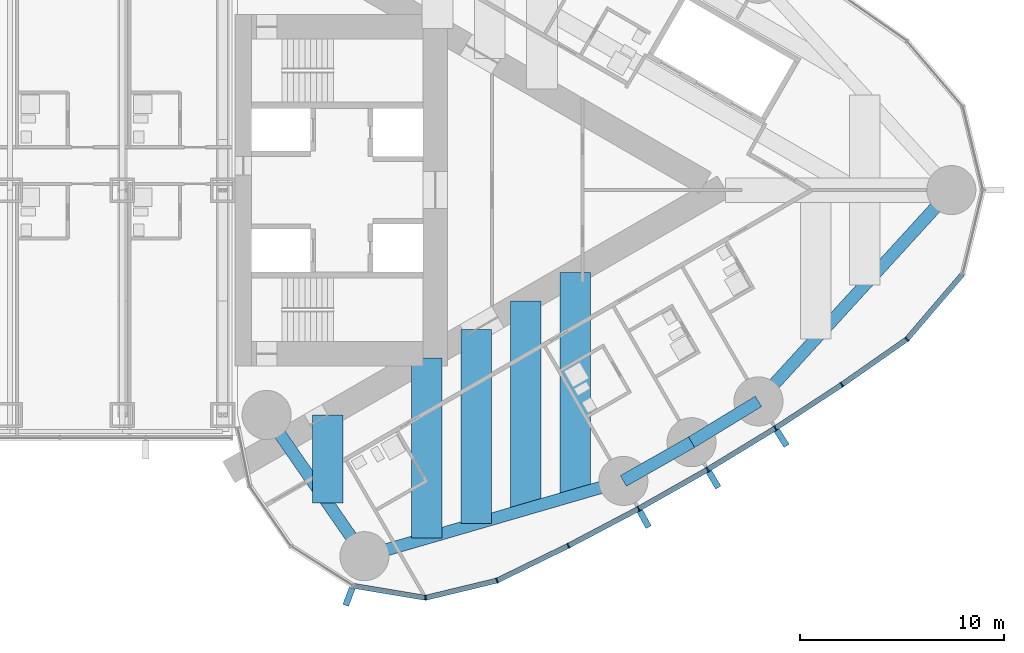
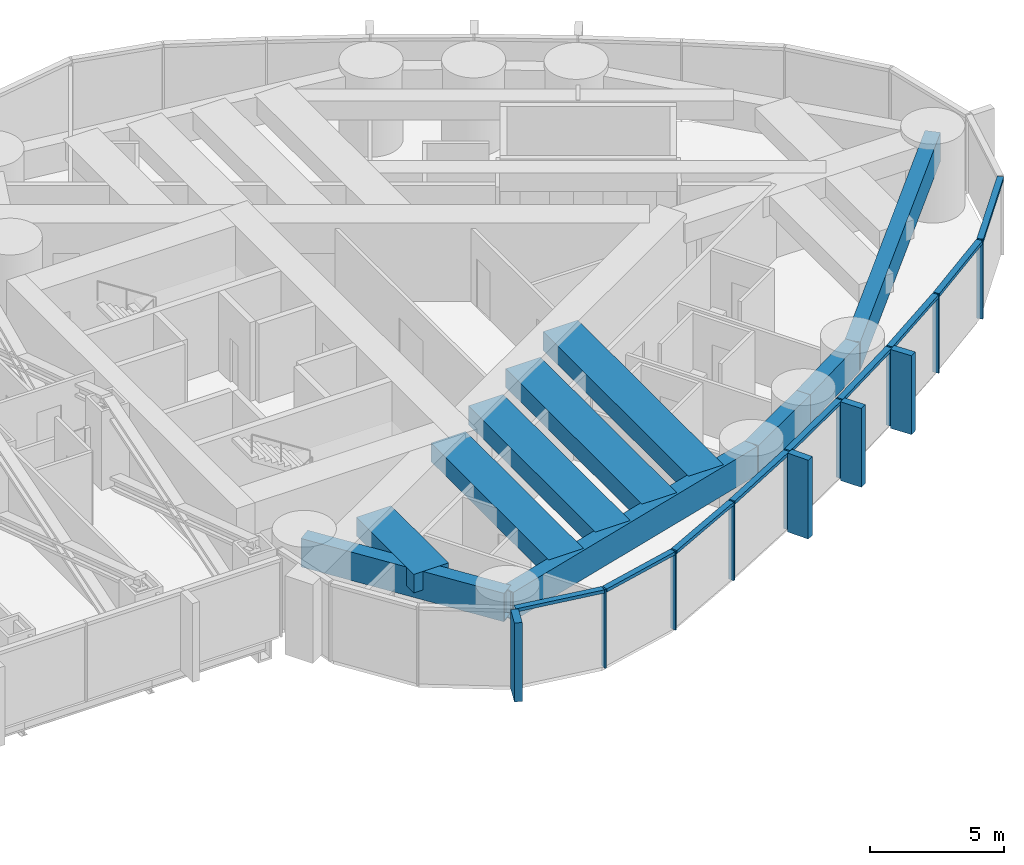
# One storey, part 8 of 23: 21 members, 10 beams, 1 element without a shape of its own.
"""IFC4 building model written with IfcOpenShell, lengths in metres."""

from ifc_helpers import new_model, si_unit, direction, frame, origin, origin_2d, place, context, subcontext, project, spatial, rectangle, hollow_rectangle, extrude, material, material_profile, profile_set, type_object, element, aggregate, save


model = new_model("IFC4")

# Units and contexts
model_context = context("Model", 3, precision=1e-05, world=origin(), true_north=direction((0.0, 1.0)))
body_context = subcontext(model_context, "Body", "Model", "MODEL_VIEW")
ifc_project = project(units=[si_unit("LENGTHUNIT", "METRE"), si_unit("AREAUNIT", "SQUARE_METRE"), si_unit("VOLUMEUNIT", "CUBIC_METRE"), si_unit("PLANEANGLEUNIT", "RADIAN"), si_unit("MASSUNIT", "GRAM", prefix="KILO")], contexts=[model_context])

# Site, building, storey
site_placement = place(None, origin())
site = spatial("IfcSite", under=ifc_project, at=site_placement, CompositionType="ELEMENT")
building_placement = place(site_placement, origin())
building = spatial("IfcBuilding", under=site, at=building_placement, Name="Lancet Gate Hotel", CompositionType="ELEMENT")
storey_placement = place(building_placement, frame((0.0, 0.0, 215.300048828125)))
storey = spatial("IfcBuildingStorey", under=building, at=storey_placement, Name="L57", CompositionType="ELEMENT", Elevation=215.300048828125)

# Curtain wall, members
ifc_material_1 = material(Name="Aluminium curtain wall", Category="aluminium")
curtain_wall_type = type_object("IfcCurtainWallType", Name="Tower unitised curtain wall", PredefinedType="USERDEFINED", material=ifc_material_1)
curtain_wall_placement = place(storey_placement, origin())
curtain_wall = element("IfcCurtainWall", 1, at=curtain_wall_placement, inside=storey, type_object=curtain_wall_type, Name="T2 L57 curtain wall 1", ObjectType="UNITISED CURTAIN WALL", PredefinedType="USERDEFINED")
ifc_material_2 = material(Name="Aluminium mullion", Category="aluminium")
ifc_material_profile_1 = material_profile(ifc_material_2, rectangle(XDim=0.06494140625, YDim=0.25, at=origin_2d()), Name="MULLION 65x250")
ifc_profile_set_1 = profile_set([ifc_material_profile_1], Name="Aluminium mullion")
member_type_1 = type_object("IfcMemberType", Name="Aluminium mullion 65x250", PredefinedType="MULLION", material=ifc_profile_set_1)
member_1_placement = place(storey_placement, frame((36.826171875, -19.942138671875, 0.0), z_axis=(0.0, 0.0, 1.0), x_axis=(0.999342744911, 0.03625021647, 0.0)))
member_1 = element("IfcMember", 2, at=member_1_placement, type_object=member_type_1, Name="T2 L57 curtain wall 1 mullion 5", PredefinedType="MULLION", context=body_context, shape_type="SweptSolid", body=[
    extrude(rectangle(XDim=0.06494140625, YDim=0.25, at=origin_2d()), origin(), (0.0, 0.0, 1.0), 3.599853515625),
])
member_2_placement = place(storey_placement, frame((40.3173828125, -19.098388671875, 0.0), z_axis=(0.0, 0.0, 1.0), x_axis=(0.939483740419, 0.342593493061, 0.0)))
member_2 = element("IfcMember", 3, at=member_2_placement, type_object=member_type_1, Name="T2 L57 curtain wall 1 mullion 6", PredefinedType="MULLION", context=body_context, shape_type="SweptSolid", body=[
    extrude(rectangle(XDim=0.06494140625, YDim=0.25, at=origin_2d()), origin(), (0.0, 0.0, 1.0), 3.599853515625),
])
member_3_placement = place(storey_placement, frame((43.80810546875, -17.396240234375, 0.0), z_axis=(0.0, 0.0, 1.0), x_axis=(0.891832977257, 0.452364831389, 0.0)))
member_3 = element("IfcMember", 4, at=member_3_placement, type_object=member_type_1, Name="T2 L57 curtain wall 1 mullion 7", PredefinedType="MULLION", context=body_context, shape_type="SweptSolid", body=[
    extrude(rectangle(XDim=0.06494140625, YDim=0.25, at=origin_2d()), origin(), (0.0, 0.0, 1.0), 3.599853515625),
])
member_4_placement = place(storey_placement, frame((47.24365234375, -15.585205078125, 0.0), z_axis=(0.0, 0.0, 1.0), x_axis=(0.877194589488, 0.480135035352, 0.0)))
member_4 = element("IfcMember", 5, at=member_4_placement, type_object=member_type_1, Name="T2 L57 curtain wall 1 mullion 8", PredefinedType="MULLION", context=body_context, shape_type="SweptSolid", body=[
    extrude(rectangle(XDim=0.06494140625, YDim=0.25, at=origin_2d()), origin(), (0.0, 0.0, 1.0), 3.599853515625),
])
member_5_placement = place(storey_placement, frame((50.62060546875, -13.667236328125, 0.0), z_axis=(0.0, 0.0, 1.0), x_axis=(0.861691755738, 0.507432082247, 0.0)))
member_5 = element("IfcMember", 6, at=member_5_placement, type_object=member_type_1, Name="T2 L57 curtain wall 1 mullion 9", PredefinedType="MULLION", context=body_context, shape_type="SweptSolid", body=[
    extrude(rectangle(XDim=0.06494140625, YDim=0.25, at=origin_2d()), origin(), (0.0, 0.0, 1.0), 3.599853515625),
])
member_6_placement = place(storey_placement, frame((53.935791015625, -11.644287109375, 0.0), z_axis=(0.0, 0.0, 1.0), x_axis=(0.845339753513, 0.534229071777, 0.0)))
member_6 = element("IfcMember", 7, at=member_6_placement, type_object=member_type_1, Name="T2 L57 curtain wall 1 mullion 10", PredefinedType="MULLION", context=body_context, shape_type="SweptSolid", body=[
    extrude(rectangle(XDim=0.06494140625, YDim=0.25, at=origin_2d()), origin(), (0.0, 0.0, 1.0), 3.599853515625),
])
member_7_placement = place(storey_placement, frame((57.185791015625, -9.518310546875, 0.0), z_axis=(0.0, 0.0, 1.0), x_axis=(0.828154697184, 0.560499596371, 0.0)))
member_7 = element("IfcMember", 8, at=member_7_placement, type_object=member_type_1, Name="T2 L57 curtain wall 1 mullion 11", PredefinedType="MULLION", context=body_context, shape_type="SweptSolid", body=[
    extrude(rectangle(XDim=0.06494140625, YDim=0.25, at=origin_2d()), origin(), (0.0, 0.0, 1.0), 3.599853515625),
])
member_8_placement = place(storey_placement, frame((60.367431640625, -7.291259765625, 0.0), z_axis=(0.0, 0.0, 1.0), x_axis=(0.737323173512, 0.675540182226, 0.0)))
member_8 = element("IfcMember", 9, at=member_8_placement, type_object=member_type_1, Name="T2 L57 curtain wall 1 mullion 12", PredefinedType="MULLION", context=body_context, shape_type="SweptSolid", body=[
    extrude(rectangle(XDim=0.06494140625, YDim=0.25, at=origin_2d()), origin(), (0.0, 0.0, 1.0), 3.599853515625),
])
ifc_material_3 = material(Name="Aluminium transom", Category="aluminium")
ifc_material_profile_2 = material_profile(ifc_material_3, rectangle(XDim=0.25, YDim=0.14990234375, at=origin_2d()), Name="TRANSOM 250x150")
ifc_profile_set_2 = profile_set([ifc_material_profile_2], Name="Aluminium transom")
member_type_2 = type_object("IfcMemberType", Name="Aluminium transom 250x150", PredefinedType="USERDEFINED", material=ifc_profile_set_2)
member_9_placement = place(storey_placement, frame((33.315185546875, -19.35888671875, 3.52490234375), z_axis=(0.986483584545, -0.163860115412, 0.0), x_axis=(0.163860115412, 0.986483584545, 0.0)))
member_9 = element("IfcMember", 10, at=member_9_placement, type_object=member_type_2, Name="T2 L57 curtain wall 1 transom 4", ObjectType="TRANSOM", PredefinedType="USERDEFINED", context=body_context, shape_type="SweptSolid", body=[
    extrude(rectangle(XDim=0.25, YDim=0.14990234375, at=origin_2d()), origin(), (0.0, 0.0, 1.0), 3.526611328125),
])
member_10_placement = place(storey_placement, frame((36.85791015625, -19.9345703125, 3.52490234375), z_axis=(0.972002653858, 0.234969872307, 0.0), x_axis=(-0.234969872307, 0.972002653858, 0.0)))
member_10 = element("IfcMember", 11, at=member_10_placement, type_object=member_type_2, Name="T2 L57 curtain wall 1 transom 5", ObjectType="TRANSOM", PredefinedType="USERDEFINED", context=body_context, shape_type="SweptSolid", body=[
    extrude(rectangle(XDim=0.25, YDim=0.14990234375, at=origin_2d()), origin(), (0.0, 0.0, 1.0), 3.5263671875),
])
member_11_placement = place(storey_placement, frame((40.346435546875, -19.084228515625, 3.52490234375), z_axis=(0.898820051991, 0.438317823206, 0.0), x_axis=(-0.438317823206, 0.898820051991, 0.0)))
member_11 = element("IfcMember", 12, at=member_11_placement, type_object=member_type_2, Name="T2 L57 curtain wall 1 transom 6", ObjectType="TRANSOM", PredefinedType="USERDEFINED", context=body_context, shape_type="SweptSolid", body=[
    extrude(rectangle(XDim=0.25, YDim=0.14990234375, at=origin_2d()), origin(), (0.0, 0.0, 1.0), 3.81884765625),
])
member_12_placement = place(storey_placement, frame((43.836669921875, -17.381103515625, 3.52490234375), z_axis=(0.884618491031, 0.466315478325, 0.0), x_axis=(-0.466315478325, 0.884618491031, 0.0)))
member_12 = element("IfcMember", 13, at=member_12_placement, type_object=member_type_2, Name="T2 L57 curtain wall 1 transom 7", ObjectType="TRANSOM", PredefinedType="USERDEFINED", context=body_context, shape_type="SweptSolid", body=[
    extrude(rectangle(XDim=0.25, YDim=0.14990234375, at=origin_2d()), origin(), (0.0, 0.0, 1.0), 3.81884765625),
])
member_13_placement = place(storey_placement, frame((47.271728515625, -15.569091796875, 3.52490234375), z_axis=(0.869562011924, 0.493823761496, 0.0), x_axis=(-0.493823761496, 0.869562011924, 0.0)))
member_13 = element("IfcMember", 14, at=member_13_placement, type_object=member_type_2, Name="T2 L57 curtain wall 1 transom 8", ObjectType="TRANSOM", PredefinedType="USERDEFINED", context=body_context, shape_type="SweptSolid", body=[
    extrude(rectangle(XDim=0.25, YDim=0.14990234375, at=origin_2d()), origin(), (0.0, 0.0, 1.0), 3.818603515625),
])
member_14_placement = place(storey_placement, frame((50.648193359375, -13.650390625, 3.52490234375), z_axis=(0.853638798527, 0.520865435261, 0.0), x_axis=(-0.520865435261, 0.853638798527, 0.0)))
member_14 = element("IfcMember", 15, at=member_14_placement, type_object=member_type_2, Name="T2 L57 curtain wall 1 transom 9", ObjectType="TRANSOM", PredefinedType="USERDEFINED", context=body_context, shape_type="SweptSolid", body=[
    extrude(rectangle(XDim=0.25, YDim=0.14990234375, at=origin_2d()), origin(), (0.0, 0.0, 1.0), 3.818603515625),
])
member_15_placement = place(storey_placement, frame((53.962890625, -11.62646484375, 3.52490234375), z_axis=(0.836858089593, 0.547419891749, 0.0), x_axis=(-0.547419891749, 0.836858089593, 0.0)))
member_15 = element("IfcMember", 16, at=member_15_placement, type_object=member_type_2, Name="T2 L57 curtain wall 1 transom 10", ObjectType="TRANSOM", PredefinedType="USERDEFINED", context=body_context, shape_type="SweptSolid", body=[
    extrude(rectangle(XDim=0.25, YDim=0.14990234375, at=origin_2d()), origin(), (0.0, 0.0, 1.0), 3.818603515625),
])
member_16_placement = place(storey_placement, frame((57.21240234375, -9.499755859375, 3.52490234375), z_axis=(0.819255948852, 0.573428016642, 0.0), x_axis=(-0.573428016642, 0.819255948852, 0.0)))
member_16 = element("IfcMember", 17, at=member_16_placement, type_object=member_type_2, Name="T2 L57 curtain wall 1 transom 11", ObjectType="TRANSOM", PredefinedType="USERDEFINED", context=body_context, shape_type="SweptSolid", body=[
    extrude(rectangle(XDim=0.25, YDim=0.14990234375, at=origin_2d()), origin(), (0.0, 0.0, 1.0), 3.818603515625),
])
member_17_placement = place(storey_placement, frame((60.388427734375, -7.2666015625, 3.52490234375), z_axis=(0.650592500186, 0.759427019997, 0.0), x_axis=(-0.759427019997, 0.650592500186, 0.0)))
member_17 = element("IfcMember", 18, at=member_17_placement, type_object=member_type_2, Name="T2 L57 curtain wall 1 transom 12", ObjectType="TRANSOM", PredefinedType="USERDEFINED", context=body_context, shape_type="SweptSolid", body=[
    extrude(rectangle(XDim=0.25, YDim=0.14990234375, at=origin_2d()), origin(), (0.0, 0.0, 1.0), 4.1455078125),
])

# Beams
ifc_material_4 = material(Name="Steel S460QL", Category="steel")
ifc_material_profile_3 = material_profile(ifc_material_4, hollow_rectangle(XDim=0.60009765625, YDim=1.300048828125, WallThickness=0.050048828125, at=origin_2d()), Name="BOX 1300x600x50")
ifc_profile_set_3 = profile_set([ifc_material_profile_3], Name="Steel S460QL")
beam_type_1 = type_object("IfcBeamType", Name="Edge beam BOX 1300x600x50", PredefinedType="SPANDREL", material=ifc_profile_set_3)
beam_1_placement = place(storey_placement, frame((33.837158203125, -17.906005859375, 2.699951171875), z_axis=(0.960258384252, 0.279112585659, 0.0), x_axis=(-0.279112585659, 0.960258384252, 0.0)))
element("IfcBeam", 19, at=beam_1_placement, inside=storey, type_object=beam_type_1, Name="T2 edge beam EB2 L57", PredefinedType="SPANDREL", context=body_context, shape_type="SweptSolid", body=[
    extrude(hollow_rectangle(XDim=0.60009765625, YDim=1.300048828125, WallThickness=0.050048828125, at=origin_2d()), origin(), (0.0, 0.0, 1.0), 13.18603515625),
])
beam_2_placement = place(storey_placement, frame((46.499267578125, -14.2255859375, 2.699951171875), z_axis=(0.869560321562, 0.493826738001, 0.0), x_axis=(-0.493826738001, 0.869560321562, 0.0)))
element("IfcBeam", 20, at=beam_2_placement, inside=storey, type_object=beam_type_1, Name="T2 edge beam EB2 L57", PredefinedType="SPANDREL", context=body_context, shape_type="SweptSolid", body=[
    extrude(hollow_rectangle(XDim=0.60009765625, YDim=1.300048828125, WallThickness=0.050048828125, at=origin_2d()), origin(), (0.0, 0.0, 1.0), 3.8349609375),
])
beam_3_placement = place(storey_placement, frame((49.833984375, -12.331787109375, 2.699951171875), z_axis=(0.853604257265, 0.520922040212, 0.0), x_axis=(-0.520922040212, 0.853604257265, 0.0)))
element("IfcBeam", 21, at=beam_3_placement, inside=storey, type_object=beam_type_1, Name="T2 edge beam EB2 L57", PredefinedType="SPANDREL", context=body_context, shape_type="SweptSolid", body=[
    extrude(hollow_rectangle(XDim=0.60009765625, YDim=1.300048828125, WallThickness=0.050048828125, at=origin_2d()), origin(), (0.0, 0.0, 1.0), 3.835205078125),
])
beam_4_placement = place(storey_placement, frame((53.107666015625, -10.333984375, 2.699951171875), z_axis=(0.674209372947, 0.738540263919, 0.0), x_axis=(-0.738540263919, 0.674209372947, 0.0)))
element("IfcBeam", 22, at=beam_4_placement, inside=storey, type_object=beam_type_1, Name="T2 edge beam EB2 L57", PredefinedType="SPANDREL", context=body_context, shape_type="SweptSolid", body=[
    extrude(hollow_rectangle(XDim=0.60009765625, YDim=1.300048828125, WallThickness=0.050048828125, at=origin_2d()), origin(), (0.0, 0.0, 1.0), 13.992431640625),
])
beam_5_placement = place(storey_placement, frame((33.837158203125, -17.906005859375, 2.699951171875), z_axis=(-0.569694852599, 0.821856298219, 0.0), x_axis=(-0.821856298219, -0.569694852599, 0.0)))
element("IfcBeam", 23, at=beam_5_placement, inside=storey, type_object=beam_type_1, Name="T2 edge beam EB2 L57", PredefinedType="SPANDREL", context=body_context, shape_type="SweptSolid", body=[
    extrude(hollow_rectangle(XDim=0.60009765625, YDim=1.300048828125, WallThickness=0.050048828125, at=origin_2d()), origin(), (0.0, 0.0, 1.0), 8.40283203125),
])

# Member
ifc_material_5 = material(Name="Precast concrete C50/60", Category="concrete")
ifc_material_profile_4 = material_profile(ifc_material_5, rectangle(XDim=0.300048828125, YDim=0.89990234375, at=origin_2d()), Name="FIN 300x900")
ifc_profile_set_4 = profile_set([ifc_material_profile_4], Name="Precast concrete C50/60")
member_type_3 = type_object("IfcMemberType", Name="Exposed concrete fin 300x900", PredefinedType="USERDEFINED", material=ifc_profile_set_4)
member_18_placement = place(storey_placement, frame((33.07763671875, -19.890625, 0.0), z_axis=(0.0, 0.0, 1.0), x_axis=(0.93394321776, -0.357421412343, 0.0)))
member_18 = element("IfcMember", 24, at=member_18_placement, type_object=member_type_3, Name="T2 L57 curtain wall 1 fin 4", ObjectType="FIN", PredefinedType="USERDEFINED", context=body_context, shape_type="SweptSolid", body=[
    extrude(rectangle(XDim=0.300048828125, YDim=0.89990234375, at=origin_2d()), origin(), (0.0, 0.0, 1.0), 3.599853515625),
])

member_19_placement = place(storey_placement, frame((47.51953125, -16.089599609375, 0.0), z_axis=(0.0, 0.0, 1.0), x_axis=(0.877194589488, 0.480135035352, 0.0)))
member_19 = element("IfcMember", 25, at=member_19_placement, type_object=member_type_3, Name="T2 L57 curtain wall 1 fin 8", ObjectType="FIN", PredefinedType="USERDEFINED", context=body_context, shape_type="SweptSolid", body=[
    extrude(rectangle(XDim=0.300048828125, YDim=0.89990234375, at=origin_2d()), origin(), (0.0, 0.0, 1.0), 3.599853515625),
])

member_20_placement = place(storey_placement, frame((50.912353515625, -14.162841796875, 0.0), z_axis=(0.0, 0.0, 1.0), x_axis=(0.861691755738, 0.507432082247, 0.0)))
member_20 = element("IfcMember", 26, at=member_20_placement, type_object=member_type_3, Name="T2 L57 curtain wall 1 fin 9", ObjectType="FIN", PredefinedType="USERDEFINED", context=body_context, shape_type="SweptSolid", body=[
    extrude(rectangle(XDim=0.300048828125, YDim=0.89990234375, at=origin_2d()), origin(), (0.0, 0.0, 1.0), 3.599853515625),
])

member_21_placement = place(storey_placement, frame((54.242919921875, -12.13037109375, 0.0), z_axis=(0.0, 0.0, 1.0), x_axis=(0.845339753513, 0.534229071777, 0.0)))
member_21 = element("IfcMember", 27, at=member_21_placement, type_object=member_type_3, Name="T2 L57 curtain wall 1 fin 10", ObjectType="FIN", PredefinedType="USERDEFINED", context=body_context, shape_type="SweptSolid", body=[
    extrude(rectangle(XDim=0.300048828125, YDim=0.89990234375, at=origin_2d()), origin(), (0.0, 0.0, 1.0), 3.599853515625),
])

aggregate(curtain_wall, [member_18, member_1, member_2, member_3, member_4, member_19, member_5, member_20, member_6, member_21, member_7, member_8, member_9, member_10, member_11, member_12, member_13, member_14, member_15, member_16, member_17])

# Beams
ifc_material_6 = material(Name="Concrete C50/60", Category="concrete")
ifc_material_profile_5 = material_profile(ifc_material_6, rectangle(XDim=1.5, YDim=0.85009765625, at=origin_2d()), Name="RC 1500x850")
ifc_profile_set_5 = profile_set([ifc_material_profile_5], Name="Concrete C50/60")
beam_type_2 = type_object("IfcBeamType", Name="Floor beam RC 1500x850", PredefinedType="BEAM", material=ifc_profile_set_5)
beam_6_placement = place(storey_placement, frame((32.04052734375, -15.31396484375, 2.925048828125), z_axis=(0.0, 1.0, 0.0), x_axis=(-1.0, 0.0, 0.0)))
element("IfcBeam", 28, at=beam_6_placement, inside=storey, type_object=beam_type_2, Name="T2 floor beam F01S L57", PredefinedType="BEAM", context=body_context, shape_type="SweptSolid", body=[
    extrude(rectangle(XDim=1.5, YDim=0.85009765625, at=origin_2d()), origin(), (0.0, 0.0, 1.0), 4.30859375),
])
beam_7_placement = place(storey_placement, frame((36.880859375, -17.021240234375, 2.925048828125), z_axis=(0.0, 1.0, 0.0), x_axis=(-1.0, 0.0, 0.0)))
element("IfcBeam", 29, at=beam_7_placement, inside=storey, type_object=beam_type_2, Name="T2 floor beam F03S L57", PredefinedType="BEAM", context=body_context, shape_type="SweptSolid", body=[
    extrude(rectangle(XDim=1.5, YDim=0.85009765625, at=origin_2d()), origin(), (0.0, 0.0, 1.0), 8.810546875),
])
beam_8_placement = place(storey_placement, frame((39.301025390625, -16.31787109375, 2.925048828125), z_axis=(0.0, 1.0, 0.0), x_axis=(-1.0, 0.0, 0.0)))
element("IfcBeam", 30, at=beam_8_placement, inside=storey, type_object=beam_type_2, Name="T2 floor beam F05S L57", PredefinedType="BEAM", context=body_context, shape_type="SweptSolid", body=[
    extrude(rectangle(XDim=1.5, YDim=0.85009765625, at=origin_2d()), origin(), (0.0, 0.0, 1.0), 9.50439453125),
])
beam_9_placement = place(storey_placement, frame((41.721435546875, -15.6142578125, 2.925048828125), z_axis=(0.0, 1.0, 0.0), x_axis=(-1.0, 0.0, 0.0)))
element("IfcBeam", 31, at=beam_9_placement, inside=storey, type_object=beam_type_2, Name="T2 floor beam F07S L57", PredefinedType="BEAM", context=body_context, shape_type="SweptSolid", body=[
    extrude(rectangle(XDim=1.5, YDim=0.85009765625, at=origin_2d()), origin(), (0.0, 0.0, 1.0), 10.1982421875),
])
beam_10_placement = place(storey_placement, frame((44.1416015625, -14.910888671875, 2.925048828125), z_axis=(0.0, 1.0, 0.0), x_axis=(-1.0, 0.0, 0.0)))
element("IfcBeam", 32, at=beam_10_placement, inside=storey, type_object=beam_type_2, Name="T2 floor beam F09S L57", PredefinedType="BEAM", context=body_context, shape_type="SweptSolid", body=[
    extrude(rectangle(XDim=1.5, YDim=0.85009765625, at=origin_2d()), origin(), (0.0, 0.0, 1.0), 10.89208984375),
])

save(model, "model.ifc")
